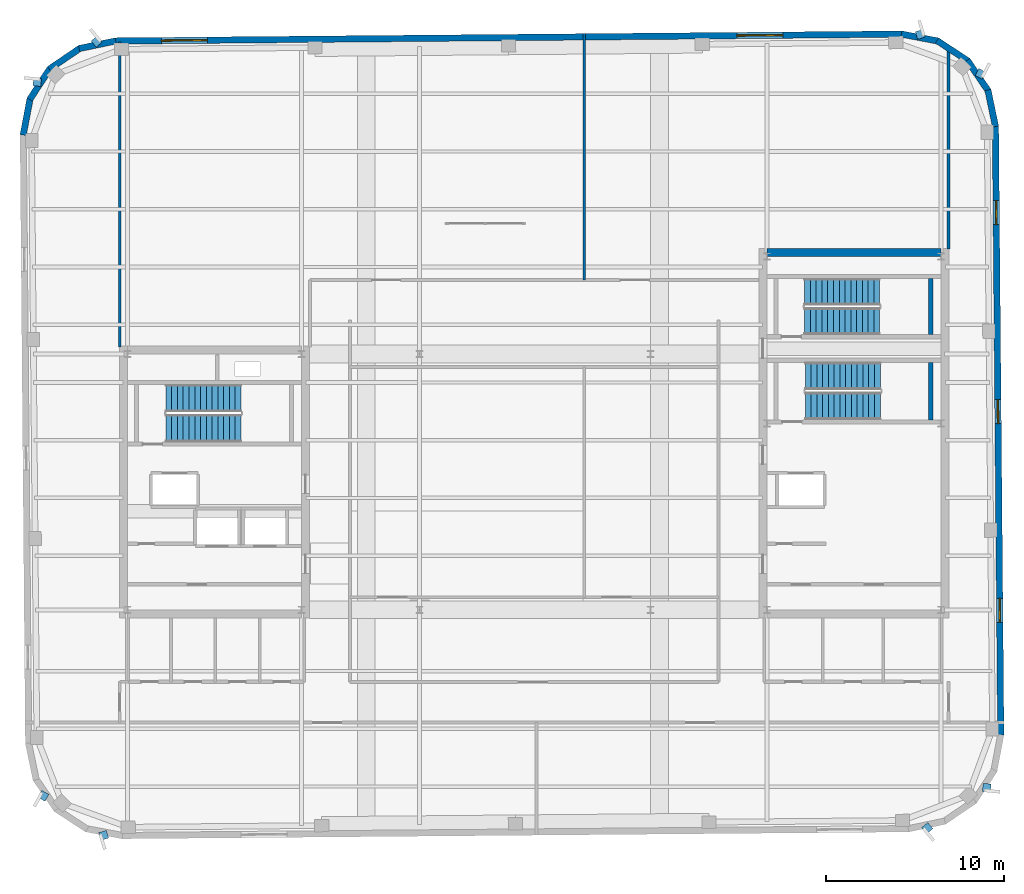
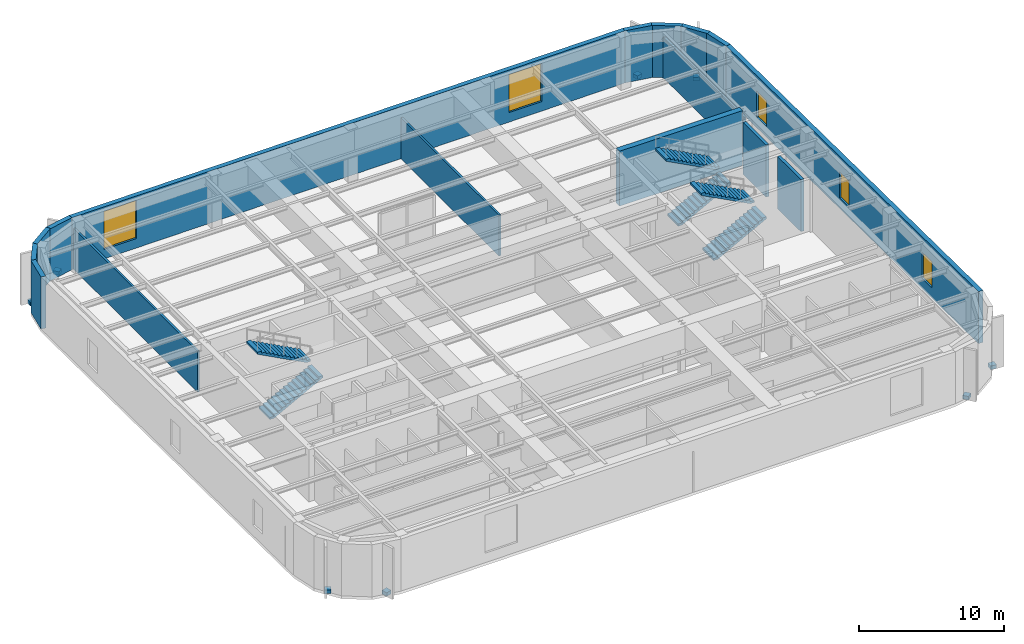
# One storey, part 10 of 14: 16 walls, 8 discrete accessories, 6 stair flights, 5 windows, 5 openings, 3 elements without a shape of their own.
"""IFC4 building model written with IfcOpenShell, lengths in metres."""

from ifc_helpers import new_model, si_unit, direction, frame, frame_2d, origin, origin_2d, place, context, subcontext, project, spatial, polyline, rectangle, outline, extrude, material, layer, layer_set, type_object, element, fill, aggregate, save


model = new_model("IFC4")

# Units and contexts
model_context = context("Model", 3, precision=1e-05, world=origin(), true_north=direction((0.0, 1.0)))
body_context = subcontext(model_context, "Body", "Model", "MODEL_VIEW")
ifc_project = project(units=[si_unit("LENGTHUNIT", "METRE"), si_unit("AREAUNIT", "SQUARE_METRE"), si_unit("VOLUMEUNIT", "CUBIC_METRE"), si_unit("PLANEANGLEUNIT", "RADIAN"), si_unit("MASSUNIT", "GRAM", prefix="KILO")], contexts=[model_context])

# Site, building, storey
site_placement = place(None, origin())
site = spatial("IfcSite", under=ifc_project, at=site_placement, CompositionType="ELEMENT")
building_placement = place(site_placement, origin())
building = spatial("IfcBuilding", under=site, at=building_placement, Name="Kolvaren Arena Tower", CompositionType="ELEMENT")
storey_placement = place(building_placement, frame((0.0, 0.0, 317.199951171875)))
storey = spatial("IfcBuildingStorey", under=building, at=storey_placement, Name="L78", CompositionType="ELEMENT", Elevation=317.199951171875)

# Walls
ifc_material_1 = material(Name="Gypsum board acoustic assembly", Category="gypsum")
ifc_layer_1 = layer(ifc_material_1, 0.159912109375)
ifc_layer_set_1 = layer_set([ifc_layer_1], Name="Gypsum board acoustic assembly")
wall_type_1 = type_object("IfcWallType", Name="CORR-160", PredefinedType="PARTITIONING", material=ifc_layer_set_1)
wall_1_placement = place(storey_placement, frame((40.27001953125, 38.02001953125, 0.0), z_axis=(0.0, 0.0, 1.0), x_axis=(0.0, 1.0, 0.0)))
element("IfcWall", 1, at=wall_1_placement, inside=storey, type_object=wall_type_1, Name="Interior Partition Wall (L78)", PredefinedType="PARTITIONING", context=body_context, shape_type="SweptSolid", body=[
    extrude(rectangle(XDim=13.8662109375, YDim=0.159912109375, at=frame_2d((6.93310546875, 0.0))), origin(), (0.0, 0.0, 1.0), 3.43994140625),
])
wall_2_placement = place(storey_placement, frame((14.1201171875, 34.25, 0.0), z_axis=(0.0, 0.0, 1.0), x_axis=(0.0, 1.0, 0.0)))
element("IfcWall", 2, at=wall_2_placement, inside=storey, type_object=wall_type_1, Name="Interior Partition Wall (L78)", PredefinedType="PARTITIONING", context=body_context, shape_type="SweptSolid", body=[
    extrude(rectangle(XDim=17.168212890625, YDim=0.159912109375, at=frame_2d((8.583984375, 0.0))), origin(), (0.0, 0.0, 1.0), 3.43994140625),
])
wall_3_placement = place(storey_placement, frame((60.780029296875, 39.75, 0.0), z_axis=(0.0, 0.0, 1.0), x_axis=(0.0, 1.0, 0.0)))
element("IfcWall", 3, at=wall_3_placement, inside=storey, type_object=wall_type_1, Name="Interior Partition Wall (L78)", PredefinedType="PARTITIONING", context=body_context, shape_type="SweptSolid", body=[
    extrude(rectangle(XDim=11.246826171875, YDim=0.159912109375, at=frame_2d((5.62353515625, 0.0))), origin(), (0.0, 0.0, 1.0), 3.43994140625),
])
ifc_material_2 = material(Name="Concrete 55 MPa", Category="concrete")
ifc_layer_2 = layer(ifc_material_2, 0.449951171875)
ifc_layer_set_2 = layer_set([ifc_layer_2], Name="Concrete 55 MPa")
wall_type_2 = type_object("IfcWallType", Name="CWALL-450", PredefinedType="SHEAR", material=ifc_layer_set_2)
wall_4_placement = place(storey_placement, frame((50.550048828125, 39.574951171875, -0.239990234375), z_axis=(0.0, 0.0, 1.0), x_axis=(1.0, 0.0, 0.0)))
element("IfcWall", 4, at=wall_4_placement, inside=storey, type_object=wall_type_2, Name="Core Shear Wall EC-NORTH (L78)", PredefinedType="SHEAR", context=body_context, shape_type="SweptSolid", body=[
    extrude(rectangle(XDim=9.800048828125, YDim=0.449951171875, at=frame_2d((4.89990234375, 0.0))), origin(), (0.0, 0.0, 1.0), 4.6201171875),
])

# Wall, openings, windows
ifc_material_3 = material(Name="Precast concrete C50/60", Category="concrete")
ifc_layer_3 = layer(ifc_material_3, 0.360107421875)
ifc_layer_set_3 = layer_set([ifc_layer_3], Name="Precast concrete C50/60")
wall_type_3 = type_object("IfcWallType", Name="EXT-PIER2", PredefinedType="SOLIDWALL", material=ifc_layer_set_3)
wall_5_placement = place(storey_placement, frame((63.419189453125, 46.688232421875, 0.0), z_axis=(0.0, 0.0, 1.0), x_axis=(0.008726391715, -0.999961924319, 0.0)))
wall_5 = element("IfcWall", 5, at=wall_5_placement, inside=storey, type_object=wall_type_3, Name="Exterior Precast Masonry-Frame Wall (L78)", PredefinedType="SOLIDWALL", context=body_context, shape_type="SweptSolid", body=[
    extrude(rectangle(XDim=34.300048828125, YDim=0.360107421875, at=frame_2d((17.14990234375, 0.0))), origin(), (0.0, 0.0, 1.0), 4.380126953125),
])
opening_1_placement = place(wall_5_placement, frame((4.199951171875, 0.0, 0.8798828125)))
opening_1 = element("IfcOpeningElement", 6, at=opening_1_placement, cuts=wall_5, Name="Opening W04", PredefinedType="OPENING", context=body_context, shape_type="SweptSolid", body=[
    extrude(rectangle(XDim=1.35009765625, YDim=2.199951171875, at=frame_2d((0.675048828125, 1.10009765625))), frame((0.0, 0.18994140625, 0.0), z_axis=(0.0, -1.0, 0.0), x_axis=(1.0, 0.0, 0.0)), (0.0, 0.0, 1.0), 0.380126953125),
])
opening_2_placement = place(wall_5_placement, frame((15.39990234375, 0.0, 0.8798828125)))
opening_2 = element("IfcOpeningElement", 7, at=opening_2_placement, cuts=wall_5, Name="Opening W04", PredefinedType="OPENING", context=body_context, shape_type="SweptSolid", body=[
    extrude(rectangle(XDim=1.35009765625, YDim=2.199951171875, at=frame_2d((0.675048828125, 1.10009765625))), frame((0.0, 0.18994140625, 0.0), z_axis=(0.0, -1.0, 0.0), x_axis=(1.0, 0.0, 0.0)), (0.0, 0.0, 1.0), 0.380126953125),
])
opening_3_placement = place(wall_5_placement, frame((26.60009765625, 0.0, 0.8798828125)))
opening_3 = element("IfcOpeningElement", 8, at=opening_3_placement, cuts=wall_5, Name="Opening W04", PredefinedType="OPENING", context=body_context, shape_type="SweptSolid", body=[
    extrude(rectangle(XDim=1.35009765625, YDim=2.199951171875, at=frame_2d((0.675048828125, 1.10009765625))), frame((0.0, 0.18994140625, 0.0), z_axis=(0.0, -1.0, 0.0), x_axis=(1.0, 0.0, 0.0)), (0.0, 0.0, 1.0), 0.380126953125),
])
ifc_material_4 = material(Name="Triple-glazed curved-facet corner window", Category="glass")
window_type_1 = type_object("IfcWindowType", Name="WIN-CRN-A", PartitioningType="SINGLE_PANEL", PredefinedType="WINDOW", material=ifc_material_4)
window_1_placement = place(opening_1_placement, origin())
window_1 = element("IfcWindow", 9, at=window_1_placement, inside=storey, type_object=window_type_1, Name="End-Wall Punched Window (L78)", OverallHeight=2.199951171875, OverallWidth=1.35009765625, PartitioningType="SINGLE_PANEL", PredefinedType="WINDOW", context=body_context, shape_type="SweptSolid", body=[
    extrude(rectangle(XDim=1.35009765625, YDim=2.199951171875, at=frame_2d((0.675048828125, 1.10009765625))), frame((0.0, 0.030029296875, 0.0), z_axis=(0.0, -1.0, 0.0), x_axis=(1.0, 0.0, 0.0)), (0.0, 0.0, 1.0), 0.06005859375),
])
fill(opening_1, window_1)
window_2_placement = place(opening_2_placement, origin())
window_2 = element("IfcWindow", 10, at=window_2_placement, inside=storey, type_object=window_type_1, Name="End-Wall Punched Window (L78)", OverallHeight=2.199951171875, OverallWidth=1.35009765625, PartitioningType="SINGLE_PANEL", PredefinedType="WINDOW", context=body_context, shape_type="SweptSolid", body=[
    extrude(rectangle(XDim=1.35009765625, YDim=2.199951171875, at=frame_2d((0.675048828125, 1.10009765625))), frame((0.0, 0.030029296875, 0.0), z_axis=(0.0, -1.0, 0.0), x_axis=(1.0, 0.0, 0.0)), (0.0, 0.0, 1.0), 0.06005859375),
])
fill(opening_2, window_2)
window_3_placement = place(opening_3_placement, origin())
window_3 = element("IfcWindow", 11, at=window_3_placement, inside=storey, type_object=window_type_1, Name="End-Wall Punched Window (L78)", OverallHeight=2.199951171875, OverallWidth=1.35009765625, PartitioningType="SINGLE_PANEL", PredefinedType="WINDOW", context=body_context, shape_type="SweptSolid", body=[
    extrude(rectangle(XDim=1.35009765625, YDim=2.199951171875, at=frame_2d((0.675048828125, 1.10009765625))), frame((0.0, 0.030029296875, 0.0), z_axis=(0.0, -1.0, 0.0), x_axis=(1.0, 0.0, 0.0)), (0.0, 0.0, 1.0), 0.06005859375),
])
fill(opening_3, window_3)

# Walls
for number, where, z_axis, x_axis, name in (
    (12, (62.993896484375, 48.7158203125, 0.0), (0.0, 0.0, 1.0), (0.203709000552, -0.979031482177, 0.0), "Exterior Precast Masonry-Frame Wall (L78)"),
    (13, (61.835693359375, 50.392822265625, 0.0), (0.0, 0.0, 1.0), (0.562829722645, -0.826572866302, 0.0), "Exterior Precast Masonry-Frame Wall (L78)"),
):
    element("IfcWall", number, at=place(storey_placement, frame(where, z_axis=z_axis, x_axis=x_axis)), inside=storey, type_object=wall_type_3, Name=name, PredefinedType="SOLIDWALL", context=body_context, shape_type="SweptSolid", body=[
        extrude(rectangle(XDim=2.10693359375, YDim=0.360107421875, at=frame_2d((1.053466796875, 0.0))), origin(), (0.0, 0.0, 1.0), 4.380126953125),
    ])
for number, where, z_axis, x_axis, name in (
    (14, (60.123779296875, 51.498779296875, 0.0), (0.0, 0.0, 1.0), (0.83632188969, -0.548238722478, 0.0), "Exterior Precast Masonry-Frame Wall (L78)"),
    (15, (58.118896484375, 51.865478515625, 0.0), (0.0, 0.0, 1.0), (0.982463107022, -0.186457081764, 0.0), "Exterior Precast Masonry-Frame Wall (L78)"),
):
    element("IfcWall", number, at=place(storey_placement, frame(where, z_axis=z_axis, x_axis=x_axis)), inside=storey, type_object=wall_type_3, Name=name, PredefinedType="SOLIDWALL", context=body_context, shape_type="SweptSolid", body=[
        extrude(rectangle(XDim=2.106689453125, YDim=0.360107421875, at=frame_2d((1.05322265625, 0.0))), origin(), (0.0, 0.0, 1.0), 4.380126953125),
    ])

# Wall, openings, windows
wall_6_placement = place(storey_placement, frame((13.855712890625, 51.475830078125, 0.0), z_axis=(0.0, 0.0, 1.0), x_axis=(0.999961944954, 0.008724026757, 0.0)))
wall_6 = element("IfcWall", 16, at=wall_6_placement, inside=storey, type_object=wall_type_3, Name="Exterior Precast Masonry-Frame Wall (L78)", PredefinedType="SOLIDWALL", context=body_context, shape_type="SweptSolid", body=[
    extrude(rectangle(XDim=44.300048828125, YDim=0.360107421875, at=frame_2d((22.14990234375, 0.0))), origin(), (0.0, 0.0, 1.0), 4.380126953125),
])
opening_4_placement = place(wall_6_placement, frame((2.60009765625, 0.0, 0.800048828125)))
opening_4 = element("IfcOpeningElement", 17, at=opening_4_placement, cuts=wall_6, Name="Opening W06", PredefinedType="OPENING", context=body_context, shape_type="SweptSolid", body=[
    extrude(rectangle(XDim=2.60009765625, YDim=3.199951171875, at=frame_2d((1.300048828125, 1.60009765625))), frame((0.0, 0.18994140625, 0.0), z_axis=(0.0, -1.0, 0.0), x_axis=(1.0, 0.0, 0.0)), (0.0, 0.0, 1.0), 0.380126953125),
])
opening_5_placement = place(wall_6_placement, frame((35.0, 0.0, 0.800048828125)))
opening_5 = element("IfcOpeningElement", 18, at=opening_5_placement, cuts=wall_6, Name="Opening W06", PredefinedType="OPENING", context=body_context, shape_type="SweptSolid", body=[
    extrude(rectangle(XDim=2.60009765625, YDim=3.199951171875, at=frame_2d((1.300048828125, 1.60009765625))), frame((0.0, 0.18994140625, 0.0), z_axis=(0.0, -1.0, 0.0), x_axis=(1.0, 0.0, 0.0)), (0.0, 0.0, 1.0), 0.380126953125),
])
ifc_material_5 = material(Name="Triple-glazed observatory picture window", Category="glass")
window_type_2 = type_object("IfcWindowType", Name="WIN-OBS-A", PartitioningType="DOUBLE_PANEL_VERTICAL", PredefinedType="WINDOW", material=ifc_material_5)
window_4_placement = place(opening_4_placement, origin())
window_4 = element("IfcWindow", 19, at=window_4_placement, inside=storey, type_object=window_type_2, Name="Punched Precast-Pier Window (L78)", OverallHeight=3.199951171875, OverallWidth=2.60009765625, PartitioningType="DOUBLE_PANEL_VERTICAL", PredefinedType="WINDOW", context=body_context, shape_type="SweptSolid", body=[
    extrude(rectangle(XDim=2.60009765625, YDim=3.199951171875, at=frame_2d((1.300048828125, 1.60009765625))), frame((0.0, 0.030029296875, 0.0), z_axis=(0.0, -1.0, 0.0), x_axis=(1.0, 0.0, 0.0)), (0.0, 0.0, 1.0), 0.06005859375),
])
fill(opening_4, window_4)
window_5_placement = place(opening_5_placement, origin())
window_5 = element("IfcWindow", 20, at=window_5_placement, inside=storey, type_object=window_type_2, Name="Punched Precast-Pier Window (L78)", OverallHeight=3.199951171875, OverallWidth=2.60009765625, PartitioningType="DOUBLE_PANEL_VERTICAL", PredefinedType="WINDOW", context=body_context, shape_type="SweptSolid", body=[
    extrude(rectangle(XDim=2.60009765625, YDim=3.199951171875, at=frame_2d((1.300048828125, 1.60009765625))), frame((0.0, 0.030029296875, 0.0), z_axis=(0.0, -1.0, 0.0), x_axis=(1.0, 0.0, 0.0)), (0.0, 0.0, 1.0), 0.06005859375),
])
fill(opening_5, window_5)

# Walls
for number, where, z_axis, x_axis, name in (
    (21, (11.827880859375, 51.050537109375, 0.0), (0.0, 0.0, 1.0), (0.97905458633, 0.203597929717, 0.0), "Exterior Precast Masonry-Frame Wall (L78)"),
    (22, (10.15087890625, 49.89208984375, 0.0), (0.0, 0.0, 1.0), (0.826609569219, 0.56277581689, 0.0), "Exterior Precast Masonry-Frame Wall (L78)"),
):
    element("IfcWall", number, at=place(storey_placement, frame(where, z_axis=z_axis, x_axis=x_axis)), inside=storey, type_object=wall_type_3, Name=name, PredefinedType="SOLIDWALL", context=body_context, shape_type="SweptSolid", body=[
        extrude(rectangle(XDim=2.10693359375, YDim=0.360107421875, at=frame_2d((1.053466796875, 0.0))), origin(), (0.0, 0.0, 1.0), 4.380126953125),
    ])
for number, where, z_axis, x_axis, name in (
    (23, (9.044921875, 48.18017578125, 0.0), (0.0, 0.0, 1.0), (0.548266637224, 0.836303589916, 0.0), "Exterior Precast Masonry-Frame Wall (L78)"),
    (24, (8.67822265625, 46.17529296875, 0.0), (0.0, 0.0, 1.0), (0.186547695246, 0.982445905584, 0.0), "Exterior Precast Masonry-Frame Wall (L78)"),
):
    element("IfcWall", number, at=place(storey_placement, frame(where, z_axis=z_axis, x_axis=x_axis)), inside=storey, type_object=wall_type_3, Name=name, PredefinedType="SOLIDWALL", context=body_context, shape_type="SweptSolid", body=[
        extrude(rectangle(XDim=2.107177734375, YDim=0.360107421875, at=frame_2d((1.0537109375, 0.0))), origin(), (0.0, 0.0, 1.0), 4.380126953125),
    ])
ifc_material_6 = material(Name="Concrete 45 MPa", Category="concrete")
ifc_layer_4 = layer(ifc_material_6, 0.25)
ifc_layer_set_4 = layer_set([ifc_layer_4], Name="Concrete 45 MPa")
wall_type_4 = type_object("IfcWallType", Name="SHAFT-250", PredefinedType="SOLIDWALL", material=ifc_layer_set_4)
wall_7_placement = place(storey_placement, frame((59.780029296875, 30.14990234375, 0.0), z_axis=(0.0, 0.0, 1.0), x_axis=(0.0, 1.0, 0.0)))
element("IfcWall", 25, at=wall_7_placement, inside=storey, type_object=wall_type_4, Name="Core Shaft Wall (L78)", PredefinedType="SOLIDWALL", context=body_context, shape_type="SweptSolid", body=[
    extrude(rectangle(XDim=3.22998046875, YDim=0.239990234375, at=frame_2d((1.614990234375, 0.0))), origin(), (0.0, 0.0, 1.0), 4.380126953125),
])
wall_8_placement = place(storey_placement, frame((59.780029296875, 34.949951171875, 0.0), z_axis=(0.0, 0.0, 1.0), x_axis=(0.0, 1.0, 0.0)))
element("IfcWall", 26, at=wall_8_placement, inside=storey, type_object=wall_type_4, Name="Core Shaft Wall (L78)", PredefinedType="SOLIDWALL", context=body_context, shape_type="SweptSolid", body=[
    extrude(rectangle(XDim=3.150146484375, YDim=0.239990234375, at=frame_2d((1.5751953125, 0.0))), origin(), (0.0, 0.0, 1.0), 4.380126953125),
])

# Stair, stair flights
stair_type_1 = type_object("IfcStairType", Name="STAIR-CORE-150", PredefinedType="HALF_TURN_STAIR", material=ifc_material_6)
stair_1_placement = place(storey_placement, origin())
stair_1 = element("IfcStair", 27, at=stair_1_placement, inside=storey, type_object=stair_type_1, Name="L78 ST-E2", PredefinedType="HALF_TURN_STAIR")
stair_flight_type_1 = type_object("IfcStairFlightType", Name="FLT-150", PredefinedType="STRAIGHT", material=ifc_material_6)
stair_flight_1_placement = place(storey_placement, frame((52.679931640625, 35.699951171875, 0.0), z_axis=(0.0, 0.0, 1.0), x_axis=(1.0, 0.0, 0.0)))
stair_flight_1 = element("IfcStairFlight", 28, at=stair_flight_1_placement, type_object=stair_flight_type_1, Name="ST-E2 flight 1", NumberOfRisers=14, NumberOfTreads=13, PredefinedType="STRAIGHT", RiserHeight=0.171428571, TreadLength=0.324, context=body_context, shape_type="SweptSolid", body=[
    extrude(outline(polyline([(0.0, 0.0), (0.0, 0.17138671875), (0.323974609375, 0.17138671875), (0.323974609375, 0.3427734375), (0.64794921875, 0.3427734375), (0.64794921875, 0.514404296875), (0.971923828125, 0.514404296875), (0.971923828125, 0.685791015625), (1.2958984375, 0.685791015625), (1.2958984375, 0.857177734375), (1.6201171875, 0.857177734375), (1.6201171875, 1.028564453125), (1.944091796875, 1.028564453125), (1.944091796875, 1.199951171875), (2.26806640625, 1.199951171875), (2.26806640625, 1.371337890625), (2.592041015625, 1.371337890625), (2.592041015625, 1.54296875), (2.916015625, 1.54296875), (2.916015625, 1.71435546875), (3.239990234375, 1.71435546875), (3.239990234375, 1.8857421875), (3.56396484375, 1.8857421875), (3.56396484375, 2.05712890625), (3.887939453125, 2.05712890625), (3.887939453125, 2.228515625), (4.2119140625, 2.228515625), (4.2119140625, 2.39990234375), (4.2119140625, 2.05908203125), (0.320556640625, 0.0), (0.0, 0.0)])), frame((0.0, 0.75, 0.0), z_axis=(0.0, -1.0, 0.0), x_axis=(1.0, 0.0, 0.0)), (0.0, 0.0, 1.0), 1.5),
])
stair_flight_2_placement = place(storey_placement, frame((56.89208984375, 37.35009765625, 2.400146484375), z_axis=(0.0, 0.0, 1.0), x_axis=(-1.0, 0.0, 0.0)))
stair_flight_2 = element("IfcStairFlight", 29, at=stair_flight_2_placement, type_object=stair_flight_type_1, Name="ST-E2 flight 2", NumberOfRisers=14, NumberOfTreads=13, PredefinedType="STRAIGHT", RiserHeight=0.171428571, TreadLength=0.324, context=body_context, shape_type="SweptSolid", body=[
    extrude(outline(polyline([(0.0, 0.0), (0.0, 0.17138671875), (0.323974609375, 0.17138671875), (0.323974609375, 0.3427734375), (0.64794921875, 0.3427734375), (0.64794921875, 0.514404296875), (0.971923828125, 0.514404296875), (0.971923828125, 0.685791015625), (1.2958984375, 0.685791015625), (1.2958984375, 0.857177734375), (1.6201171875, 0.857177734375), (1.6201171875, 1.028564453125), (1.944091796875, 1.028564453125), (1.944091796875, 1.199951171875), (2.26806640625, 1.199951171875), (2.26806640625, 1.371337890625), (2.592041015625, 1.371337890625), (2.592041015625, 1.54296875), (2.916015625, 1.54296875), (2.916015625, 1.71435546875), (3.239990234375, 1.71435546875), (3.239990234375, 1.8857421875), (3.56396484375, 1.8857421875), (3.56396484375, 2.05712890625), (3.887939453125, 2.05712890625), (3.887939453125, 2.228515625), (4.2119140625, 2.228515625), (4.2119140625, 2.39990234375), (4.2119140625, 2.05908203125), (0.320556640625, 0.0), (0.0, 0.0)])), frame((0.0, 0.75, 0.0), z_axis=(0.0, -1.0, 0.0), x_axis=(1.0, 0.0, 0.0)), (0.0, 0.0, 1.0), 1.5),
])
aggregate(stair_1, [stair_flight_1, stair_flight_2])

stair_type_2 = type_object("IfcStairType", Name="STAIR-CORE-165", PredefinedType="HALF_TURN_STAIR", material=ifc_material_6)
stair_2_placement = place(storey_placement, origin())
stair_2 = element("IfcStair", 30, at=stair_2_placement, inside=storey, type_object=stair_type_2, Name="L78 ST-W1", PredefinedType="HALF_TURN_STAIR")
stair_flight_type_2 = type_object("IfcStairFlightType", Name="FLT-165", PredefinedType="STRAIGHT", material=ifc_material_6)
stair_flight_3_placement = place(storey_placement, frame((16.719970703125, 29.669921875, 0.0), z_axis=(0.0, 0.0, 1.0), x_axis=(1.0, 0.0, 0.0)))
stair_flight_3 = element("IfcStairFlight", 31, at=stair_flight_3_placement, type_object=stair_flight_type_2, Name="ST-W1 flight 1", NumberOfRisers=14, NumberOfTreads=13, PredefinedType="STRAIGHT", RiserHeight=0.171428571, TreadLength=0.324, context=body_context, shape_type="SweptSolid", body=[
    extrude(outline(polyline([(0.0, 0.0), (0.0, 0.17138671875), (0.323974609375, 0.17138671875), (0.323974609375, 0.3427734375), (0.64794921875, 0.3427734375), (0.64794921875, 0.514404296875), (0.971923828125, 0.514404296875), (0.971923828125, 0.685791015625), (1.2958984375, 0.685791015625), (1.2958984375, 0.857177734375), (1.6201171875, 0.857177734375), (1.6201171875, 1.028564453125), (1.944091796875, 1.028564453125), (1.944091796875, 1.199951171875), (2.26806640625, 1.199951171875), (2.26806640625, 1.371337890625), (2.592041015625, 1.371337890625), (2.592041015625, 1.54296875), (2.916015625, 1.54296875), (2.916015625, 1.71435546875), (3.239990234375, 1.71435546875), (3.239990234375, 1.8857421875), (3.56396484375, 1.8857421875), (3.56396484375, 2.05712890625), (3.887939453125, 2.05712890625), (3.887939453125, 2.228515625), (4.2119140625, 2.228515625), (4.2119140625, 2.39990234375), (4.2119140625, 2.05908203125), (0.320556640625, 0.0), (0.0, 0.0)])), frame((0.0, 0.77001953125, 0.0), z_axis=(0.0, -1.0, 0.0), x_axis=(1.0, 0.0, 0.0)), (0.0, 0.0, 1.0), 1.5400390625),
])
stair_flight_4_placement = place(storey_placement, frame((20.931884765625, 31.360107421875, 2.400146484375), z_axis=(0.0, 0.0, 1.0), x_axis=(-1.0, 0.0, 0.0)))
stair_flight_4 = element("IfcStairFlight", 32, at=stair_flight_4_placement, type_object=stair_flight_type_2, Name="ST-W1 flight 2", NumberOfRisers=14, NumberOfTreads=13, PredefinedType="STRAIGHT", RiserHeight=0.171428571, TreadLength=0.324, context=body_context, shape_type="SweptSolid", body=[
    extrude(outline(polyline([(0.0, 0.0), (0.0, 0.17138671875), (0.323974609375, 0.17138671875), (0.323974609375, 0.3427734375), (0.64794921875, 0.3427734375), (0.64794921875, 0.514404296875), (0.971923828125, 0.514404296875), (0.971923828125, 0.685791015625), (1.2958984375, 0.685791015625), (1.2958984375, 0.857177734375), (1.6201171875, 0.857177734375), (1.6201171875, 1.028564453125), (1.944091796875, 1.028564453125), (1.944091796875, 1.199951171875), (2.26806640625, 1.199951171875), (2.26806640625, 1.371337890625), (2.592041015625, 1.371337890625), (2.592041015625, 1.54296875), (2.916015625, 1.54296875), (2.916015625, 1.71435546875), (3.239990234375, 1.71435546875), (3.239990234375, 1.8857421875), (3.56396484375, 1.8857421875), (3.56396484375, 2.05712890625), (3.887939453125, 2.05712890625), (3.887939453125, 2.228515625), (4.2119140625, 2.228515625), (4.2119140625, 2.39990234375), (4.2119140625, 2.05908203125), (0.320556640625, 0.0), (0.0, 0.0)])), frame((0.0, 0.77001953125, 0.0), z_axis=(0.0, -1.0, 0.0), x_axis=(1.0, 0.0, 0.0)), (0.0, 0.0, 1.0), 1.5400390625),
])
aggregate(stair_2, [stair_flight_3, stair_flight_4])

stair_3_placement = place(storey_placement, origin())
stair_3 = element("IfcStair", 33, at=stair_3_placement, inside=storey, type_object=stair_type_2, Name="L78 ST-E1", PredefinedType="HALF_TURN_STAIR")
stair_flight_5_placement = place(storey_placement, frame((52.719970703125, 30.919921875, 0.0), z_axis=(0.0, 0.0, 1.0), x_axis=(1.0, 0.0, 0.0)))
stair_flight_5 = element("IfcStairFlight", 34, at=stair_flight_5_placement, type_object=stair_flight_type_2, Name="ST-E1 flight 1", NumberOfRisers=14, NumberOfTreads=13, PredefinedType="STRAIGHT", RiserHeight=0.171428571, TreadLength=0.324, context=body_context, shape_type="SweptSolid", body=[
    extrude(outline(polyline([(0.0, 0.0), (0.0, 0.17138671875), (0.323974609375, 0.17138671875), (0.323974609375, 0.3427734375), (0.64794921875, 0.3427734375), (0.64794921875, 0.514404296875), (0.971923828125, 0.514404296875), (0.971923828125, 0.685791015625), (1.2958984375, 0.685791015625), (1.2958984375, 0.857177734375), (1.6201171875, 0.857177734375), (1.6201171875, 1.028564453125), (1.944091796875, 1.028564453125), (1.944091796875, 1.199951171875), (2.26806640625, 1.199951171875), (2.26806640625, 1.371337890625), (2.592041015625, 1.371337890625), (2.592041015625, 1.54296875), (2.916015625, 1.54296875), (2.916015625, 1.71435546875), (3.239990234375, 1.71435546875), (3.239990234375, 1.8857421875), (3.56396484375, 1.8857421875), (3.56396484375, 2.05712890625), (3.887939453125, 2.05712890625), (3.887939453125, 2.228515625), (4.2119140625, 2.228515625), (4.2119140625, 2.39990234375), (4.2119140625, 2.05908203125), (0.320556640625, 0.0), (0.0, 0.0)])), frame((0.0, 0.77001953125, 0.0), z_axis=(0.0, -1.0, 0.0), x_axis=(1.0, 0.0, 0.0)), (0.0, 0.0, 1.0), 1.5400390625),
])
stair_flight_6_placement = place(storey_placement, frame((56.931884765625, 32.610107421875, 2.400146484375), z_axis=(0.0, 0.0, 1.0), x_axis=(-1.0, 0.0, 0.0)))
stair_flight_6 = element("IfcStairFlight", 35, at=stair_flight_6_placement, type_object=stair_flight_type_2, Name="ST-E1 flight 2", NumberOfRisers=14, NumberOfTreads=13, PredefinedType="STRAIGHT", RiserHeight=0.171428571, TreadLength=0.324, context=body_context, shape_type="SweptSolid", body=[
    extrude(outline(polyline([(0.0, 0.0), (0.0, 0.17138671875), (0.323974609375, 0.17138671875), (0.323974609375, 0.3427734375), (0.64794921875, 0.3427734375), (0.64794921875, 0.514404296875), (0.971923828125, 0.514404296875), (0.971923828125, 0.685791015625), (1.2958984375, 0.685791015625), (1.2958984375, 0.857177734375), (1.6201171875, 0.857177734375), (1.6201171875, 1.028564453125), (1.944091796875, 1.028564453125), (1.944091796875, 1.199951171875), (2.26806640625, 1.199951171875), (2.26806640625, 1.371337890625), (2.592041015625, 1.371337890625), (2.592041015625, 1.54296875), (2.916015625, 1.54296875), (2.916015625, 1.71435546875), (3.239990234375, 1.71435546875), (3.239990234375, 1.8857421875), (3.56396484375, 1.8857421875), (3.56396484375, 2.05712890625), (3.887939453125, 2.05712890625), (3.887939453125, 2.228515625), (4.2119140625, 2.228515625), (4.2119140625, 2.39990234375), (4.2119140625, 2.05908203125), (0.320556640625, 0.0), (0.0, 0.0)])), frame((0.0, 0.77001953125, 0.0), z_axis=(0.0, -1.0, 0.0), x_axis=(1.0, 0.0, 0.0)), (0.0, 0.0, 1.0), 1.5400390625),
])
aggregate(stair_3, [stair_flight_5, stair_flight_6])

# Discrete accessories
ifc_material_7 = material(Name="Stainless steel facade support bracket", Category="steel")
discrete_accessory_type = type_object("IfcDiscreteAccessoryType", Name="ACC-BRKT-1", PredefinedType="BRACKET", material=ifc_material_7)
for number, where, z_axis, x_axis, name in (
    (36, (59.577392578125, 7.15869140625, 0.02001953125), (0.0, 0.0, 1.0), (0.639409480102, -0.768866384202, 0.0), "Corner Fin Anchor Bracket (L78)"),
    (37, (62.927978515625, 9.43994140625, 0.02001953125), (0.0, 0.0, 1.0), (0.995807961336, -0.091468596471, 0.0), "Corner Fin Anchor Bracket (L78)"),
    (38, (62.577392578125, 49.623291015625, 0.02001953125), (0.0, 0.0, 1.0), (0.465619154103, 0.884985199499, 0.0), "Corner Fin Anchor Bracket (L78)"),
    (39, (59.1875, 51.845947265625, 0.02001953125), (0.0, 0.0, 1.0), (-0.296541574976, 0.955019944457, 0.0), "Corner Fin Anchor Bracket (L78)"),
    (40, (12.822509765625, 51.44140625, 0.02001953125), (0.0, 0.0, 1.0), (-0.639409480102, 0.768866384202, 0.0), "Corner Fin Anchor Bracket (L78)"),
    (41, (9.471923828125, 49.159912109375, 0.02001953125), (0.0, 0.0, 1.0), (-0.995807961336, 0.091468596471, 0.0), "Corner Fin Anchor Bracket (L78)"),
    (42, (9.82275390625, 8.9765625, 0.02001953125), (0.0, 0.0, 1.0), (-0.465619154103, -0.884985199499, 0.0), "Corner Fin Anchor Bracket (L78)"),
    (43, (13.212646484375, 6.754150390625, 0.02001953125), (0.0, 0.0, 1.0), (0.296541574976, -0.955019944457, 0.0), "Corner Fin Anchor Bracket (L78)"),
):
    element("IfcDiscreteAccessory", number, at=place(storey_placement, frame(where, z_axis=z_axis, x_axis=x_axis)), inside=storey, type_object=discrete_accessory_type, Name=name, PredefinedType="BRACKET", context=body_context, shape_type="SweptSolid", body=[
        extrude(rectangle(XDim=0.449951171875, YDim=0.449951171875, at=origin_2d()), origin(), (0.0, 0.0, 1.0), 0.300048828125),
    ])

save(model, "model.ifc")
